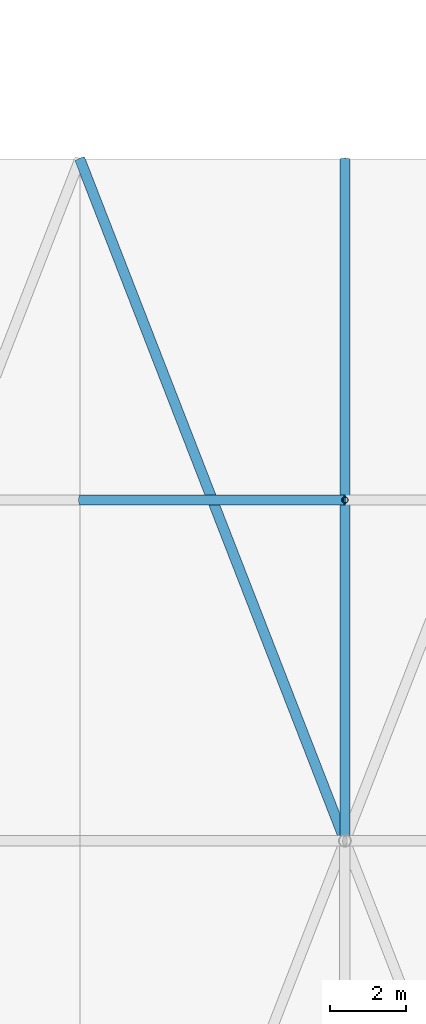
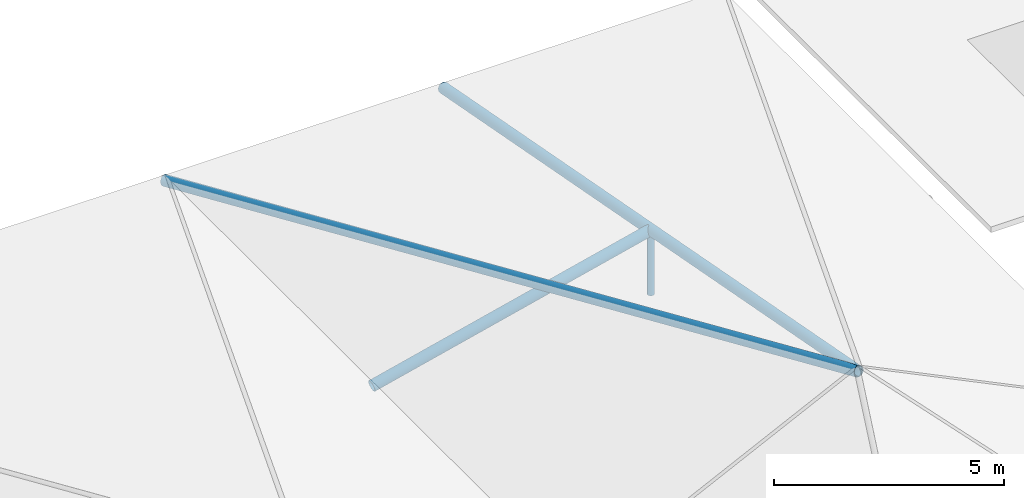
# One storey, part 50 of 93: 4 members.
"""IFC4 building model written with IfcOpenShell, lengths in metres."""

import ifcopenshell
import ifcopenshell.guid

model = None  # the IFC model being written
_history = None  # IfcOwnerHistory: only IFC2X3 demands one
_inside = {}  # id of a spatial element -> (the spatial element, [elements in it])
_under = {}  # id of a project, library or spatial element -> (it, [spatial elements below it])
_declared = {}  # id of a project -> (the project, [libraries it declares])
_typed = {}  # id of a type object -> (the type object, [elements of that type])
_made_of = {}  # id of a material, layer set ... -> (it, [elements and type objects made of it])


def new_model(schema):
    """Start an empty IFC model of exactly this schema.

    Asked for "IFC4X3", IfcOpenShell would pick the latest addendum, in which some entities
    have other attributes; the version numbers below select the first issue.
    IFC2X3 requires an IfcOwnerHistory on every rooted entity: one is made here for all.
    """
    global model, _history
    if schema == "IFC4X3":
        model = ifcopenshell.file(schema_version=(4, 3, 0, 0))
    else:
        model = ifcopenshell.file(schema=schema)
    _inside.clear()
    _under.clear()
    _declared.clear()
    _typed.clear()
    _made_of.clear()
    _history = None
    if model.schema == "IFC2X3":
        org = make("IfcOrganization", Name="unknown")
        user = make(
            "IfcPersonAndOrganization",
            ThePerson=make("IfcPerson", FamilyName="unknown"),
            TheOrganization=org,
        )
        app = make(
            "IfcApplication",
            ApplicationDeveloper=org,
            Version="unknown",
            ApplicationFullName="unknown",
            ApplicationIdentifier="unknown",
        )
        _history = make(
            "IfcOwnerHistory",
            OwningUser=user,
            OwningApplication=app,
            ChangeAction="ADDED",
            CreationDate=0,
        )
    return model


def make(cls, **values):
    """One entity of the class cls with the attributes given. An attribute that is None is left unset."""
    return model.create_entity(
        cls, **{name: value for name, value in values.items() if value is not None}
    )


def rooted(cls, **values):
    """An entity with a GlobalId (a new one), such as an element, a storey or a relation."""
    return make(cls, GlobalId=ifcopenshell.guid.new(), OwnerHistory=_history, **values)


def si_unit(unit_type, name, prefix=None):
    """IfcSIUnit, for example si_unit("LENGTHUNIT", "METRE", prefix="MILLI")."""
    return make("IfcSIUnit", UnitType=unit_type, Prefix=prefix, Name=name)


def derived_unit(unit_type, elements):
    """IfcDerivedUnit: a product of units, each with its exponent."""
    return make(
        "IfcDerivedUnit",
        Elements=[
            make("IfcDerivedUnitElement", Unit=unit, Exponent=power)
            for unit, power in elements
        ],
        UnitType=unit_type,
    )


def assignment(units):
    """IfcUnitAssignment: the units of a project."""
    return None if units is None else make("IfcUnitAssignment", Units=units)


def point(xyz):
    """IfcCartesianPoint."""
    return None if xyz is None else make("IfcCartesianPoint", Coordinates=xyz)


def direction(xyz):
    """IfcDirection."""
    return None if xyz is None else make("IfcDirection", DirectionRatios=xyz)


def frame(location, z_axis=None, x_axis=None):
    """IfcAxis2Placement3D, a coordinate frame: its origin and axes. An axis left out is left unset."""
    return make(
        "IfcAxis2Placement3D",
        Location=point(location),
        Axis=direction(z_axis),
        RefDirection=direction(x_axis),
    )


def frame_2d(location, x_axis=None):
    """IfcAxis2Placement2D, a coordinate frame in the plane: its origin and x axis."""
    return make(
        "IfcAxis2Placement2D", Location=point(location), RefDirection=direction(x_axis)
    )


def origin():
    """The frame at (0, 0, 0) with its axes left unset."""
    return frame((0.0, 0.0, 0.0))


def origin_2d_with_axis():
    """The frame at (0, 0) in the plane with the x axis (1, 0) written out."""
    return frame_2d((0.0, 0.0), x_axis=(1.0, 0.0))


def place(relative_to, where):
    """IfcLocalPlacement: puts the frame where relative to a parent placement (None: the world)."""
    return make(
        "IfcLocalPlacement", PlacementRelTo=relative_to, RelativePlacement=where
    )


def context(
    kind, dimensions, precision=None, world=None, true_north=None, identifier=None
):
    """IfcGeometricRepresentationContext, for example the 3D "Model" context."""
    return make(
        "IfcGeometricRepresentationContext",
        ContextIdentifier=identifier,
        ContextType=kind,
        CoordinateSpaceDimension=dimensions,
        Precision=precision,
        WorldCoordinateSystem=world,
        TrueNorth=true_north,
    )


def subcontext(parent, identifier, kind, view, scale=None):
    """IfcGeometricRepresentationSubContext, for example "Body" below "Model"."""
    return make(
        "IfcGeometricRepresentationSubContext",
        ContextIdentifier=identifier,
        ContextType=kind,
        ParentContext=parent,
        TargetScale=scale,
        TargetView=view,
    )


def project(units=None, contexts=None):
    """IfcProject with its units and contexts."""
    return rooted(
        "IfcProject",
        Name="project",
        RepresentationContexts=contexts,
        UnitsInContext=assignment(units),
    )


def spatial(cls, under=None, at=None, **own):
    """A site, building, storey or space (cls), placed at a placement, below another one or the project."""
    s = rooted(cls, ObjectPlacement=at, **own)
    if under is not None:
        _under.setdefault(under.id(), (under, []))[1].append(s)
    return s


def profile(cls, at=None, kind="AREA", **sizes):
    """A parametric profile (cls). Its sizes go by their IFC names, for example OverallWidth=200.0."""
    return make(cls, ProfileType=kind, Position=at, **sizes)


def hollow_circle(**sizes):
    """IfcCircleHollowProfileDef."""
    return profile("IfcCircleHollowProfileDef", **sizes)


def extrude(swept, where, along, depth):
    """IfcExtrudedAreaSolid: the profile swept, set in the frame where, extruded along a direction by depth."""
    return make(
        "IfcExtrudedAreaSolid",
        SweptArea=swept,
        Position=where,
        ExtrudedDirection=direction(along),
        Depth=depth,
    )


def shape(context_of_items, identifier, shape_type, items):
    """IfcShapeRepresentation: the items that make up one representation, for example the "Body"."""
    return make(
        "IfcShapeRepresentation",
        ContextOfItems=context_of_items,
        RepresentationIdentifier=identifier,
        RepresentationType=shape_type,
        Items=items,
    )


def material(Name=None, Category=None):
    """IfcMaterial."""
    return make("IfcMaterial", Name=Name, Category=Category)


def material_profile(
    of_material, cross_section, Name=None, Category=None, Priority=None
):
    """IfcMaterialProfile: a cross section and its material."""
    return make(
        "IfcMaterialProfile",
        Name=Name,
        Material=of_material,
        Profile=cross_section,
        Priority=Priority,
        Category=Category,
    )


def profile_set(profiles, Name=None, composite=None):
    """IfcMaterialProfileSet."""
    return make(
        "IfcMaterialProfileSet",
        Name=Name,
        MaterialProfiles=profiles,
        CompositeProfile=composite,
    )


def made_of(thing, what):
    """Note that an element or type object is made of a material, layer set ...; save() writes the relation."""
    if what is not None:
        _made_of.setdefault(what.id(), (what, []))[1].append(thing)
    return thing


def type_object(cls, material=None, **own):
    """A type object (cls), such as IfcWallType, which elements share."""
    return made_of(rooted(cls, **own), material)


def element(
    cls,
    number,
    at=None,
    inside=None,
    cuts=None,
    type_object=None,
    material=None,
    context=None,
    identifier="Body",
    shape_type=None,
    held_by="IfcProductDefinitionShape",
    body=None,
    shapes=None,
    **own,
):
    """One element of the class cls, such as IfcWall. Its Tag is "e" and its number.

    at: its placement. inside: the storey or other place that contains it. cuts: it is an
    opening in that element (IfcRelVoidsElement). A single representation is given by context,
    identifier, shape_type and body (its items); several are given by shapes. held_by: the class
    of the entity that holds the representations. save() writes the other relations.
    """
    e = rooted(cls, Tag="e%d" % number, ObjectPlacement=at, **own)
    if body is not None:
        shapes = [shape(context, identifier, shape_type, body)]
    if shapes is not None:
        e.Representation = make(held_by, Representations=shapes)
    if inside is not None:
        _inside.setdefault(inside.id(), (inside, []))[1].append(e)
    if cuts is not None:
        rooted(
            "IfcRelVoidsElement", RelatingBuildingElement=cuts, RelatedOpeningElement=e
        )
    if type_object is not None:
        _typed.setdefault(type_object.id(), (type_object, []))[1].append(e)
    return made_of(e, material)


def aggregate(whole, parts):
    """IfcRelAggregates: a whole, such as a stair, and the parts it consists of."""
    return rooted("IfcRelAggregates", RelatingObject=whole, RelatedObjects=parts)


def save(model, path):
    """Write the relations noted so far, then the file.

    IfcRelAggregates (storeys below a building ...), IfcRelContainedInSpatialStructure (elements
    in a storey), IfcRelDefinesByType, IfcRelAssociatesMaterial and IfcRelDeclares: one each for
    every whole, place, type object, material and project.
    """
    for whole, parts in _under.values():
        aggregate(whole, parts)
    for where, things in _inside.values():
        rooted(
            "IfcRelContainedInSpatialStructure",
            RelatedElements=things,
            RelatingStructure=where,
        )
    for kind, things in _typed.values():
        rooted("IfcRelDefinesByType", RelatedObjects=things, RelatingType=kind)
    for what, things in _made_of.values():
        rooted("IfcRelAssociatesMaterial", RelatedObjects=things, RelatingMaterial=what)
    for by, libraries in _declared.values():
        rooted("IfcRelDeclares", RelatingContext=by, RelatedDefinitions=libraries)
    model.write(path)


model = new_model("IFC4")

# Units and contexts
model_context = context("Model", 3, precision=1e-05, world=origin(), true_north=direction((0.0, 1.0)))
body_context = subcontext(model_context, "Body", "Model", "MODEL_VIEW")
ifc_project = project(units=[si_unit("LENGTHUNIT", "METRE"), si_unit("AREAUNIT", "SQUARE_METRE"), si_unit("VOLUMEUNIT", "CUBIC_METRE"), si_unit("PLANEANGLEUNIT", "RADIAN"), si_unit("MASSUNIT", "GRAM", prefix="KILO"), derived_unit("THERMALTRANSMITTANCEUNIT", [(si_unit("POWERUNIT", "WATT"), 1), (si_unit("LENGTHUNIT", "METRE"), -2), (si_unit("THERMODYNAMICTEMPERATUREUNIT", "KELVIN"), -1)])], contexts=[model_context])

# Site, building, storey
site_placement = place(None, origin())
site = spatial("IfcSite", under=ifc_project, at=site_placement, CompositionType="ELEMENT")
building_placement = place(site_placement, origin())
building = spatial("IfcBuilding", under=site, at=building_placement, Name="Cinnabar Yard Market Hall", CompositionType="ELEMENT")
storey_placement = place(building_placement, frame((0.0, 0.0, 23.800048828125)))
storey = spatial("IfcBuildingStorey", under=building, at=storey_placement, Name="ROOF", CompositionType="ELEMENT", Elevation=23.800048828125)

# Members
ifc_material = material(Name="Cold-formed steel C350L0", Category="steel")
ifc_material_profile_1 = material_profile(ifc_material, hollow_circle(Radius=0.136474609375, WallThickness=0.00927734375, at=origin_2d_with_axis()), Name="273.1x9.3CHS")
ifc_profile_set_1 = profile_set([ifc_material_profile_1], Name="Cold-formed steel C350L0")
member_type_1 = type_object("IfcMemberType", Name="MB-TC02", PredefinedType="CHORD", material=ifc_profile_set_1)
member_1_placement = place(storey_placement, frame((38.0, 84.0, -15.400146484375), z_axis=(0.356956605479, -0.917888414088, 0.173386392456), x_axis=(0.932004671541, 0.362446261155, 0.0)))
element("IfcMember", 1, at=member_1_placement, inside=storey, type_object=member_type_1, Name="Chhatri Hip Rafter CH3-4", PredefinedType="CHORD", context=body_context, shape_type="SweptSolid", body=[
    extrude(hollow_circle(Radius=0.136474609375, WallThickness=0.00927734375, at=origin_2d_with_axis()), origin(), (0.0, 0.0, 1.0), 19.610107421875),
])
member_2_placement = place(storey_placement, frame((45.0, 84.0, -15.400146484375), z_axis=(0.0, -0.982622643196, 0.185614495874), x_axis=(1.0, 0.0, 0.0)))
element("IfcMember", 2, at=member_2_placement, inside=storey, type_object=member_type_1, Name="Chhatri Hip Rafter CH3-6", PredefinedType="CHORD", context=body_context, shape_type="SweptSolid", body=[
    extrude(hollow_circle(Radius=0.136474609375, WallThickness=0.00927734375, at=origin_2d_with_axis()), origin(), (0.0, 0.0, 1.0), 18.318359375),
])
member_3_placement = place(storey_placement, frame((38.0, 75.0, -15.400146484375), z_axis=(0.971747485636, 0.0, 0.23602293143), x_axis=(0.0, 1.0, 0.0)))
element("IfcMember", 3, at=member_3_placement, inside=storey, type_object=member_type_1, Name="Chhatri Rafter CH3-75A", PredefinedType="CHORD", context=body_context, shape_type="SweptSolid", body=[
    extrude(hollow_circle(Radius=0.136474609375, WallThickness=0.00927734375, at=origin_2d_with_axis()), origin(), (0.0, 0.0, 1.0), 7.20361328125),
])
ifc_material_profile_2 = material_profile(ifc_material, hollow_circle(Radius=0.084228515625, WallThickness=0.00634765625, at=origin_2d_with_axis()), Name="168.3x6.4CHS")
ifc_profile_set_2 = profile_set([ifc_material_profile_2], Name="Cold-formed steel C350L0")
member_type_2 = type_object("IfcMemberType", Name="MB-WB01", PredefinedType="STRUT", material=ifc_profile_set_2)
member_4_placement = place(storey_placement, frame((45.0, 75.0, -15.400146484375), z_axis=(0.0, 0.0, 1.0), x_axis=(1.0, 0.0, 0.0)))
element("IfcMember", 4, at=member_4_placement, inside=storey, type_object=member_type_2, Name="Chhatri Support Post CH3-75", PredefinedType="STRUT", context=body_context, shape_type="SweptSolid", body=[
    extrude(hollow_circle(Radius=0.084228515625, WallThickness=0.00634765625, at=origin_2d_with_axis()), origin(), (0.0, 0.0, 1.0), 1.7001953125),
])

save(model, "model.ifc")
